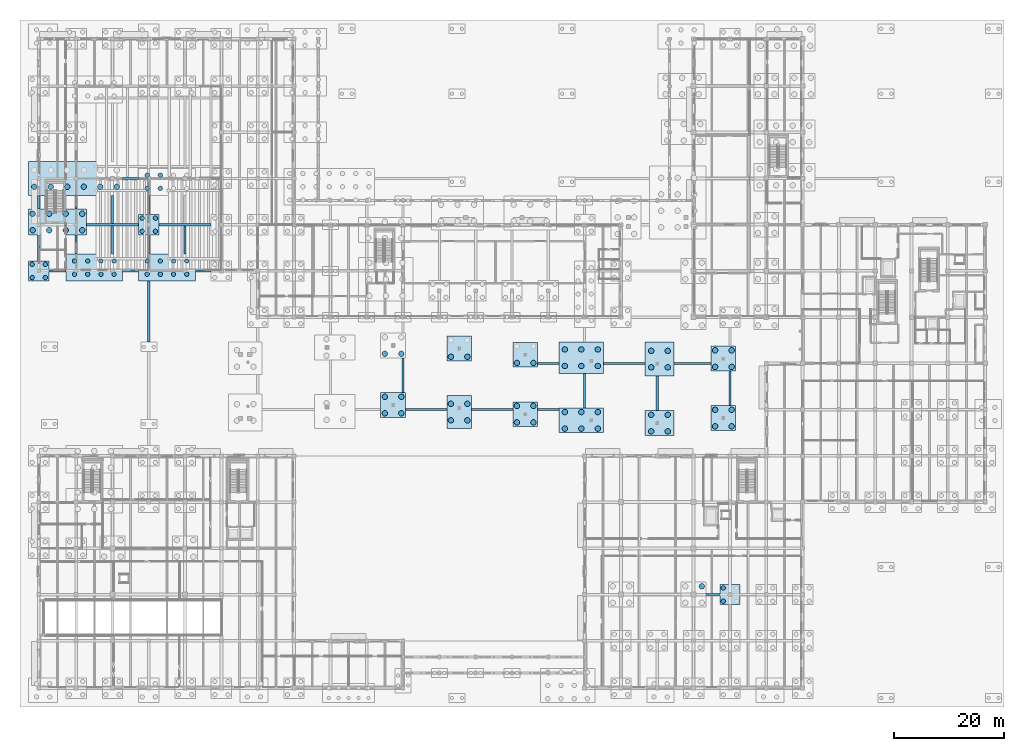
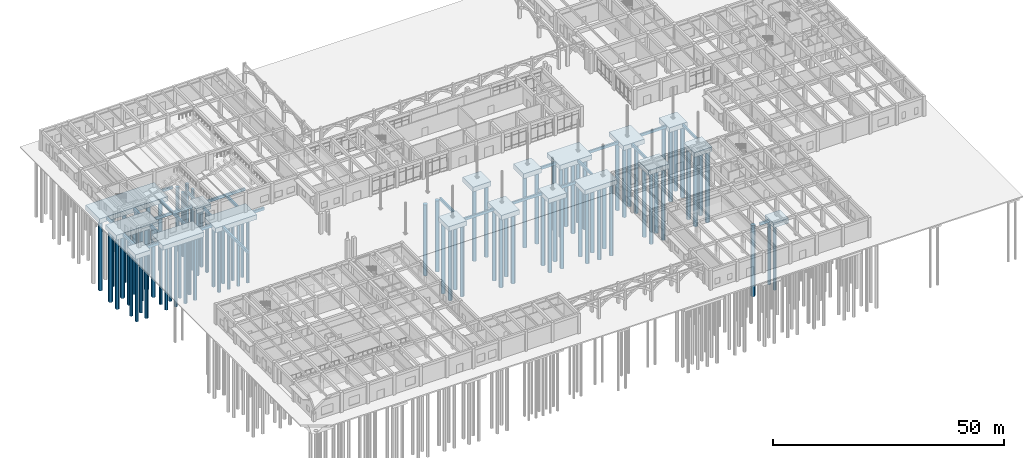
# One storey, part 3 of 82: 91 piles, 45 footings.
"""IFC4 building model written with IfcOpenShell, lengths in metres."""

from ifc_helpers import new_model, si_unit, direction, frame, origin, origin_2d, place, context, subcontext, project, spatial, rectangle, circle, extrude, material, material_profile, profile_set, type_object, element, save


model = new_model("IFC4")

# Units and contexts
model_context = context("Model", 3, precision=1e-05, world=origin(), true_north=direction((0.0, 1.0)))
body_context = subcontext(model_context, "Body", "Model", "MODEL_VIEW")
ifc_project = project(units=[si_unit("LENGTHUNIT", "METRE"), si_unit("AREAUNIT", "SQUARE_METRE"), si_unit("VOLUMEUNIT", "CUBIC_METRE"), si_unit("PLANEANGLEUNIT", "RADIAN"), si_unit("MASSUNIT", "GRAM", prefix="KILO")], contexts=[model_context])

# Site, building, storey
site_placement = place(None, origin())
site = spatial("IfcSite", under=ifc_project, at=site_placement, CompositionType="ELEMENT")
building_placement = place(site_placement, origin())
building = spatial("IfcBuilding", under=site, at=building_placement, Name="Kolvaren Faculty of Natural Sciences", CompositionType="ELEMENT")
storey_placement = place(building_placement, origin())
storey = spatial("IfcBuildingStorey", under=building, at=storey_placement, Name="L00", CompositionType="ELEMENT", Elevation=0.0)

# Piles
ifc_material = material(Name="Concrete C35/45", Category="concrete")
ifc_material_profile_1 = material_profile(ifc_material, circle(Radius=0.5, at=origin_2d()), Name="PILE D1000")
ifc_profile_set_1 = profile_set([ifc_material_profile_1], Name="Concrete C35/45")
pile_type_1 = type_object("IfcPileType", Name="BoredPile_1000", PredefinedType="BORED", material=ifc_profile_set_1)
for number, where, z_axis, x_axis, name in (
    (1, (-1.10009765625, 83.199951171875, -1.469970703125), (0.0, 0.0, -1.0), (1.0, 0.0, 0.0), "Rock-socketed bored pile BP-1000 under CAP-086"),
    (2, (-1.10009765625, 86.199951171875, -1.469970703125), (0.0, 0.0, -1.0), (1.0, 0.0, 0.0), "Rock-socketed bored pile BP-1000 under CAP-086"),
    (3, (1.89990234375, 83.199951171875, -1.469970703125), (0.0, 0.0, -1.0), (1.0, 0.0, 0.0), "Rock-socketed bored pile BP-1000 under CAP-086"),
    (4, (1.89990234375, 86.199951171875, -1.469970703125), (0.0, 0.0, -1.0), (1.0, 0.0, 0.0), "Rock-socketed bored pile BP-1000 under CAP-086"),
    (5, (4.89990234375, 83.199951171875, -1.469970703125), (0.0, 0.0, -1.0), (1.0, 0.0, 0.0), "Rock-socketed bored pile BP-1000 under CAP-086"),
    (6, (4.89990234375, 86.199951171875, -1.469970703125), (0.0, 0.0, -1.0), (1.0, 0.0, 0.0), "Rock-socketed bored pile BP-1000 under CAP-086"),
    (7, (7.89990234375, 83.199951171875, -1.469970703125), (0.0, 0.0, -1.0), (1.0, 0.0, 0.0), "Rock-socketed bored pile BP-1000 under CAP-086"),
    (8, (7.89990234375, 86.199951171875, -1.469970703125), (0.0, 0.0, -1.0), (1.0, 0.0, 0.0), "Rock-socketed bored pile BP-1000 under CAP-086"),
    (9, (-0.800048828125, 91.10009765625, -1.469970703125), (0.0, 0.0, -1.0), (1.0, 0.0, 0.0), "Rock-socketed bored pile BP-1000 under CAP-087"),
    (10, (2.199951171875, 91.10009765625, -1.469970703125), (0.0, 0.0, -1.0), (1.0, 0.0, 0.0), "Rock-socketed bored pile BP-1000 under CAP-087"),
    (11, (5.199951171875, 91.10009765625, -1.469970703125), (0.0, 0.0, -1.0), (1.0, 0.0, 0.0), "Rock-socketed bored pile BP-1000 under CAP-087"),
    (12, (8.199951171875, 91.10009765625, -1.469970703125), (0.0, 0.0, -1.0), (1.0, 0.0, 0.0), "Rock-socketed bored pile BP-1000 under CAP-087"),
    (13, (11.199951171875, 91.10009765625, -1.469970703125), (0.0, 0.0, -1.0), (1.0, 0.0, 0.0), "Rock-socketed bored pile BP-1000 under CAP-087"),
    (14, (14.199951171875, 91.10009765625, -1.469970703125), (0.0, 0.0, -1.0), (1.0, 0.0, 0.0), "Rock-socketed bored pile BP-1000 under CAP-087"),
    (15, (62.89990234375, 49.93994140625, -1.469970703125), (0.0, 0.0, -1.0), (1.0, 0.0, 0.0), "Rock-socketed bored pile BP-1000 under CAP-156"),
    (16, (62.89990234375, 52.93994140625, -1.469970703125), (0.0, 0.0, -1.0), (1.0, 0.0, 0.0), "Rock-socketed bored pile BP-1000 under CAP-156"),
    (17, (65.89990234375, 49.93994140625, -1.469970703125), (0.0, 0.0, -1.0), (1.0, 0.0, 0.0), "Rock-socketed bored pile BP-1000 under CAP-156"),
    (18, (65.89990234375, 52.93994140625, -1.469970703125), (0.0, 0.0, -1.0), (1.0, 0.0, 0.0), "Rock-socketed bored pile BP-1000 under CAP-156"),
    (19, (62.89990234375, 60.739990234375, -1.469970703125), (0.0, 0.0, -1.0), (1.0, 0.0, 0.0), "Rock-socketed bored pile BP-1000 under CAP-157"),
    (20, (65.89990234375, 60.739990234375, -1.469970703125), (0.0, 0.0, -1.0), (1.0, 0.0, 0.0), "Rock-socketed bored pile BP-1000 under CAP-157"),
    (21, (74.89990234375, 48.655029296875, -1.469970703125), (0.0, 0.0, -1.0), (1.0, 0.0, 0.0), "Rock-socketed bored pile BP-1000 under CAP-165"),
    (22, (74.89990234375, 51.655029296875, -1.469970703125), (0.0, 0.0, -1.0), (1.0, 0.0, 0.0), "Rock-socketed bored pile BP-1000 under CAP-165"),
    (23, (77.89990234375, 48.655029296875, -1.469970703125), (0.0, 0.0, -1.0), (1.0, 0.0, 0.0), "Rock-socketed bored pile BP-1000 under CAP-165"),
    (24, (77.89990234375, 51.655029296875, -1.469970703125), (0.0, 0.0, -1.0), (1.0, 0.0, 0.0), "Rock-socketed bored pile BP-1000 under CAP-165"),
    (25, (74.89990234375, 60.2099609375, -1.469970703125), (0.0, 0.0, -1.0), (1.0, 0.0, 0.0), "Rock-socketed bored pile BP-1000 under CAP-166"),
    (26, (77.89990234375, 60.2099609375, -1.469970703125), (0.0, 0.0, -1.0), (1.0, 0.0, 0.0), "Rock-socketed bored pile BP-1000 under CAP-166"),
    (27, (86.89990234375, 48.280029296875, -1.469970703125), (0.0, 0.0, -1.0), (1.0, 0.0, 0.0), "Rock-socketed bored pile BP-1000 under CAP-178"),
    (28, (86.89990234375, 51.280029296875, -1.469970703125), (0.0, 0.0, -1.0), (1.0, 0.0, 0.0), "Rock-socketed bored pile BP-1000 under CAP-178"),
    (29, (89.89990234375, 48.280029296875, -1.469970703125), (0.0, 0.0, -1.0), (1.0, 0.0, 0.0), "Rock-socketed bored pile BP-1000 under CAP-178"),
    (30, (89.89990234375, 51.280029296875, -1.469970703125), (0.0, 0.0, -1.0), (1.0, 0.0, 0.0), "Rock-socketed bored pile BP-1000 under CAP-178"),
    (31, (86.89990234375, 59.080078125, -1.469970703125), (0.0, 0.0, -1.0), (1.0, 0.0, 0.0), "Rock-socketed bored pile BP-1000 under CAP-179"),
    (32, (89.89990234375, 59.080078125, -1.469970703125), (0.0, 0.0, -1.0), (1.0, 0.0, 0.0), "Rock-socketed bored pile BP-1000 under CAP-179"),
    (33, (95.60009765625, 47.159912109375, -1.469970703125), (0.0, 0.0, -1.0), (1.0, 0.0, 0.0), "Rock-socketed bored pile BP-1000 under CAP-183"),
    (34, (95.60009765625, 50.159912109375, -1.469970703125), (0.0, 0.0, -1.0), (1.0, 0.0, 0.0), "Rock-socketed bored pile BP-1000 under CAP-183"),
    (35, (98.60009765625, 47.159912109375, -1.469970703125), (0.0, 0.0, -1.0), (1.0, 0.0, 0.0), "Rock-socketed bored pile BP-1000 under CAP-183"),
    (36, (98.60009765625, 50.159912109375, -1.469970703125), (0.0, 0.0, -1.0), (1.0, 0.0, 0.0), "Rock-socketed bored pile BP-1000 under CAP-183"),
    (37, (101.60009765625, 47.159912109375, -1.469970703125), (0.0, 0.0, -1.0), (1.0, 0.0, 0.0), "Rock-socketed bored pile BP-1000 under CAP-183"),
    (38, (101.60009765625, 50.159912109375, -1.469970703125), (0.0, 0.0, -1.0), (1.0, 0.0, 0.0), "Rock-socketed bored pile BP-1000 under CAP-183"),
    (39, (95.60009765625, 58.530029296875, -1.469970703125), (0.0, 0.0, -1.0), (1.0, 0.0, 0.0), "Rock-socketed bored pile BP-1000 under CAP-184"),
    (40, (95.60009765625, 61.530029296875, -1.469970703125), (0.0, 0.0, -1.0), (1.0, 0.0, 0.0), "Rock-socketed bored pile BP-1000 under CAP-184"),
    (41, (98.60009765625, 58.530029296875, -1.469970703125), (0.0, 0.0, -1.0), (1.0, 0.0, 0.0), "Rock-socketed bored pile BP-1000 under CAP-184"),
    (42, (98.60009765625, 61.530029296875, -1.469970703125), (0.0, 0.0, -1.0), (1.0, 0.0, 0.0), "Rock-socketed bored pile BP-1000 under CAP-184"),
    (43, (101.60009765625, 58.530029296875, -1.469970703125), (0.0, 0.0, -1.0), (1.0, 0.0, 0.0), "Rock-socketed bored pile BP-1000 under CAP-184"),
    (44, (101.60009765625, 61.530029296875, -1.469970703125), (0.0, 0.0, -1.0), (1.0, 0.0, 0.0), "Rock-socketed bored pile BP-1000 under CAP-184"),
    (45, (111.300048828125, 46.64990234375, -1.469970703125), (0.0, 0.0, -1.0), (1.0, 0.0, 0.0), "Rock-socketed bored pile BP-1000 under CAP-197"),
    (46, (111.300048828125, 49.64990234375, -1.469970703125), (0.0, 0.0, -1.0), (1.0, 0.0, 0.0), "Rock-socketed bored pile BP-1000 under CAP-197"),
    (47, (114.300048828125, 46.64990234375, -1.469970703125), (0.0, 0.0, -1.0), (1.0, 0.0, 0.0), "Rock-socketed bored pile BP-1000 under CAP-197"),
    (48, (114.300048828125, 49.64990234375, -1.469970703125), (0.0, 0.0, -1.0), (1.0, 0.0, 0.0), "Rock-socketed bored pile BP-1000 under CAP-197"),
    (49, (111.300048828125, 58.27490234375, -1.469970703125), (0.0, 0.0, -1.0), (1.0, 0.0, 0.0), "Rock-socketed bored pile BP-1000 under CAP-198"),
    (50, (111.300048828125, 61.27490234375, -1.469970703125), (0.0, 0.0, -1.0), (1.0, 0.0, 0.0), "Rock-socketed bored pile BP-1000 under CAP-198"),
    (51, (114.300048828125, 58.27490234375, -1.469970703125), (0.0, 0.0, -1.0), (1.0, 0.0, 0.0), "Rock-socketed bored pile BP-1000 under CAP-198"),
    (52, (114.300048828125, 61.27490234375, -1.469970703125), (0.0, 0.0, -1.0), (1.0, 0.0, 0.0), "Rock-socketed bored pile BP-1000 under CAP-198"),
    (53, (120.5, 18.5, -1.469970703125), (0.0, 0.0, -1.0), (1.0, 0.0, 0.0), "Rock-socketed bored pile BP-1000 under CAP-205"),
    (54, (122.89990234375, 47.570068359375, -1.469970703125), (0.0, 0.0, -1.0), (1.0, 0.0, 0.0), "Rock-socketed bored pile BP-1000 under CAP-210"),
    (55, (122.89990234375, 50.570068359375, -1.469970703125), (0.0, 0.0, -1.0), (1.0, 0.0, 0.0), "Rock-socketed bored pile BP-1000 under CAP-210"),
    (56, (125.89990234375, 47.570068359375, -1.469970703125), (0.0, 0.0, -1.0), (1.0, 0.0, 0.0), "Rock-socketed bored pile BP-1000 under CAP-210"),
    (57, (125.89990234375, 50.570068359375, -1.469970703125), (0.0, 0.0, -1.0), (1.0, 0.0, 0.0), "Rock-socketed bored pile BP-1000 under CAP-210"),
    (58, (122.89990234375, 58.3701171875, -1.469970703125), (0.0, 0.0, -1.0), (1.0, 0.0, 0.0), "Rock-socketed bored pile BP-1000 under CAP-211"),
    (59, (122.89990234375, 61.3701171875, -1.469970703125), (0.0, 0.0, -1.0), (1.0, 0.0, 0.0), "Rock-socketed bored pile BP-1000 under CAP-211"),
    (60, (125.89990234375, 58.3701171875, -1.469970703125), (0.0, 0.0, -1.0), (1.0, 0.0, 0.0), "Rock-socketed bored pile BP-1000 under CAP-211"),
    (61, (125.89990234375, 61.3701171875, -1.469970703125), (0.0, 0.0, -1.0), (1.0, 0.0, 0.0), "Rock-socketed bored pile BP-1000 under CAP-211"),
):
    element("IfcPile", number, at=place(storey_placement, frame(where, z_axis=z_axis, x_axis=x_axis)), inside=storey, type_object=pile_type_1, Name=name, PredefinedType="BORED", context=body_context, shape_type="SweptSolid", body=[
        extrude(circle(Radius=0.5, at=origin_2d()), origin(), (0.0, 0.0, 1.0), 18.830078125),
    ])
ifc_material_profile_2 = material_profile(ifc_material, circle(Radius=0.39990234375, at=origin_2d()), Name="PILE D800")
ifc_profile_set_2 = profile_set([ifc_material_profile_2], Name="Concrete C35/45")
pile_type_2 = type_object("IfcPileType", Name="BoredPile_800", PredefinedType="BORED", material=ifc_profile_set_2)
for number, where, z_axis, x_axis, name in (
    (62, (-1.199951171875, 74.60009765625, -1.469970703125), (0.0, 0.0, -1.0), (1.0, 0.0, 0.0), "Rock-socketed bored pile BP-800 under CAP-085"),
    (63, (-1.199951171875, 77.0, -1.469970703125), (0.0, 0.0, -1.0), (1.0, 0.0, 0.0), "Rock-socketed bored pile BP-800 under CAP-085"),
    (64, (1.199951171875, 74.60009765625, -1.469970703125), (0.0, 0.0, -1.0), (1.0, 0.0, 0.0), "Rock-socketed bored pile BP-800 under CAP-085"),
    (65, (1.199951171875, 77.0, -1.469970703125), (0.0, 0.0, -1.0), (1.0, 0.0, 0.0), "Rock-socketed bored pile BP-800 under CAP-085"),
    (66, (6.5, 75.199951171875, -1.469970703125), (0.0, 0.0, -1.0), (1.0, 0.0, 0.0), "Rock-socketed bored pile BP-800 under CAP-097"),
    (67, (6.5, 77.60009765625, -1.469970703125), (0.0, 0.0, -1.0), (1.0, 0.0, 0.0), "Rock-socketed bored pile BP-800 under CAP-097"),
    (68, (8.89990234375, 75.199951171875, -1.469970703125), (0.0, 0.0, -1.0), (1.0, 0.0, 0.0), "Rock-socketed bored pile BP-800 under CAP-097"),
    (69, (8.89990234375, 77.60009765625, -1.469970703125), (0.0, 0.0, -1.0), (1.0, 0.0, 0.0), "Rock-socketed bored pile BP-800 under CAP-097"),
    (70, (11.300048828125, 75.199951171875, -1.469970703125), (0.0, 0.0, -1.0), (1.0, 0.0, 0.0), "Rock-socketed bored pile BP-800 under CAP-097"),
    (71, (11.300048828125, 77.60009765625, -1.469970703125), (0.0, 0.0, -1.0), (1.0, 0.0, 0.0), "Rock-socketed bored pile BP-800 under CAP-097"),
    (72, (13.699951171875, 75.199951171875, -1.469970703125), (0.0, 0.0, -1.0), (1.0, 0.0, 0.0), "Rock-socketed bored pile BP-800 under CAP-097"),
    (73, (13.699951171875, 77.60009765625, -1.469970703125), (0.0, 0.0, -1.0), (1.0, 0.0, 0.0), "Rock-socketed bored pile BP-800 under CAP-097"),
    (74, (19.699951171875, 75.199951171875, -1.469970703125), (0.0, 0.0, -1.0), (1.0, 0.0, 0.0), "Rock-socketed bored pile BP-800 under CAP-107"),
    (75, (19.699951171875, 77.60009765625, -1.469970703125), (0.0, 0.0, -1.0), (1.0, 0.0, 0.0), "Rock-socketed bored pile BP-800 under CAP-107"),
    (76, (22.10009765625, 75.199951171875, -1.469970703125), (0.0, 0.0, -1.0), (1.0, 0.0, 0.0), "Rock-socketed bored pile BP-800 under CAP-107"),
    (77, (22.10009765625, 77.60009765625, -1.469970703125), (0.0, 0.0, -1.0), (1.0, 0.0, 0.0), "Rock-socketed bored pile BP-800 under CAP-107"),
    (78, (24.5, 75.199951171875, -1.469970703125), (0.0, 0.0, -1.0), (1.0, 0.0, 0.0), "Rock-socketed bored pile BP-800 under CAP-107"),
    (79, (24.5, 77.60009765625, -1.469970703125), (0.0, 0.0, -1.0), (1.0, 0.0, 0.0), "Rock-socketed bored pile BP-800 under CAP-107"),
    (80, (26.89990234375, 75.199951171875, -1.469970703125), (0.0, 0.0, -1.0), (1.0, 0.0, 0.0), "Rock-socketed bored pile BP-800 under CAP-107"),
    (81, (26.89990234375, 77.60009765625, -1.469970703125), (0.0, 0.0, -1.0), (1.0, 0.0, 0.0), "Rock-socketed bored pile BP-800 under CAP-107"),
    (82, (18.800048828125, 83.0, -1.469970703125), (0.0, 0.0, -1.0), (1.0, 0.0, 0.0), "Rock-socketed bored pile BP-800 under CAP-108"),
    (83, (18.800048828125, 85.39990234375, -1.469970703125), (0.0, 0.0, -1.0), (1.0, 0.0, 0.0), "Rock-socketed bored pile BP-800 under CAP-108"),
    (84, (21.199951171875, 83.0, -1.469970703125), (0.0, 0.0, -1.0), (1.0, 0.0, 0.0), "Rock-socketed bored pile BP-800 under CAP-108"),
    (85, (21.199951171875, 85.39990234375, -1.469970703125), (0.0, 0.0, -1.0), (1.0, 0.0, 0.0), "Rock-socketed bored pile BP-800 under CAP-108"),
    (86, (19.699951171875, 90.800048828125, -1.469970703125), (0.0, 0.0, -1.0), (1.0, 0.0, 0.0), "Rock-socketed bored pile BP-800 under CAP-109"),
    (87, (19.699951171875, 93.199951171875, -1.469970703125), (0.0, 0.0, -1.0), (1.0, 0.0, 0.0), "Rock-socketed bored pile BP-800 under CAP-109"),
    (88, (22.10009765625, 90.800048828125, -1.469970703125), (0.0, 0.0, -1.0), (1.0, 0.0, 0.0), "Rock-socketed bored pile BP-800 under CAP-109"),
    (89, (22.10009765625, 93.199951171875, -1.469970703125), (0.0, 0.0, -1.0), (1.0, 0.0, 0.0), "Rock-socketed bored pile BP-800 under CAP-109"),
    (90, (124.39990234375, 15.800048828125, -1.469970703125), (0.0, 0.0, -1.0), (1.0, 0.0, 0.0), "Rock-socketed bored pile BP-800 under CAP-214"),
    (91, (124.39990234375, 18.199951171875, -1.469970703125), (0.0, 0.0, -1.0), (1.0, 0.0, 0.0), "Rock-socketed bored pile BP-800 under CAP-214"),
):
    element("IfcPile", number, at=place(storey_placement, frame(where, z_axis=z_axis, x_axis=x_axis)), inside=storey, type_object=pile_type_2, Name=name, PredefinedType="BORED", context=body_context, shape_type="SweptSolid", body=[
        extrude(circle(Radius=0.39990234375, at=origin_2d()), origin(), (0.0, 0.0, 1.0), 16.929931640625),
    ])

# Footings
ifc_material_profile_3 = material_profile(ifc_material, rectangle(XDim=0.39990234375, YDim=0.699951171875, at=origin_2d()), Name="RC FB 400x700")
ifc_profile_set_3 = profile_set([ifc_material_profile_3], Name="Concrete C35/45")
footing_type_1 = type_object("IfcFootingType", Name="FootingTieBeam_400x700", PredefinedType="FOOTING_BEAM", material=ifc_profile_set_3)
footing_1_placement = place(storey_placement, frame((121.25, 17.0, -0.75), z_axis=(1.0, 0.0, 0.0), x_axis=(0.0, 1.0, 0.0)))
element("IfcFooting", 92, at=footing_1_placement, inside=storey, type_object=footing_type_1, Name="L00 orthogonal foundation tie beam FB-01", PredefinedType="FOOTING_BEAM", context=body_context, shape_type="SweptSolid", body=[
    extrude(rectangle(XDim=0.39990234375, YDim=0.699951171875, at=origin_2d()), origin(), (0.0, 0.0, 1.0), 2.5),
])
for number, where, z_axis, x_axis, name in (
    (93, (66.64990234375, 50.60009765625, -0.75), (1.0, 0.0, 0.0), (0.0, 1.0, 0.0), "L00 orthogonal foundation tie beam FB-01"),
    (94, (78.64990234375, 50.60009765625, -0.75), (1.0, 0.0, 0.0), (0.0, 1.0, 0.0), "L00 orthogonal foundation tie beam FB-01"),
):
    element("IfcFooting", number, at=place(storey_placement, frame(where, z_axis=z_axis, x_axis=x_axis)), inside=storey, type_object=footing_type_1, Name=name, PredefinedType="FOOTING_BEAM", context=body_context, shape_type="SweptSolid", body=[
        extrude(rectangle(XDim=0.39990234375, YDim=0.699951171875, at=origin_2d()), origin(), (0.0, 0.0, 1.0), 7.5),
    ])
for number, where, z_axis, x_axis, name in (
    (95, (90.64990234375, 50.60009765625, -0.75), (1.0, 0.0, 0.0), (0.0, 1.0, 0.0), "L00 orthogonal foundation tie beam FB-01"),
    (96, (90.64990234375, 59.0, -0.75), (1.0, 0.0, 0.0), (0.0, 1.0, 0.0), "L00 orthogonal foundation tie beam FB-01"),
):
    element("IfcFooting", number, at=place(storey_placement, frame(where, z_axis=z_axis, x_axis=x_axis)), inside=storey, type_object=footing_type_1, Name=name, PredefinedType="FOOTING_BEAM", context=body_context, shape_type="SweptSolid", body=[
        extrude(rectangle(XDim=0.39990234375, YDim=0.699951171875, at=origin_2d()), origin(), (0.0, 0.0, 1.0), 3.900146484375),
    ])
footing_2_placement = place(storey_placement, frame((102.64990234375, 59.0, -0.75), z_axis=(1.0, 0.0, 0.0), x_axis=(0.0, 1.0, 0.0)))
element("IfcFooting", 97, at=footing_2_placement, inside=storey, type_object=footing_type_1, Name="L00 orthogonal foundation tie beam FB-01", PredefinedType="FOOTING_BEAM", context=body_context, shape_type="SweptSolid", body=[
    extrude(rectangle(XDim=0.39990234375, YDim=0.699951171875, at=origin_2d()), origin(), (0.0, 0.0, 1.0), 7.5),
])
footing_3_placement = place(storey_placement, frame((115.449951171875, 59.0, -0.75), z_axis=(1.0, 0.0, 0.0), x_axis=(0.0, 1.0, 0.0)))
element("IfcFooting", 98, at=footing_3_placement, inside=storey, type_object=footing_type_1, Name="L00 orthogonal foundation tie beam FB-01", PredefinedType="FOOTING_BEAM", context=body_context, shape_type="SweptSolid", body=[
    extrude(rectangle(XDim=0.39990234375, YDim=0.699951171875, at=origin_2d()), origin(), (0.0, 0.0, 1.0), 6.699951171875),
])
footing_4_placement = place(storey_placement, frame((1.85009765625, 75.800048828125, -0.75), z_axis=(1.0, 0.0, 0.0), x_axis=(0.0, 1.0, 0.0)))
element("IfcFooting", 99, at=footing_4_placement, inside=storey, type_object=footing_type_1, Name="L00 orthogonal foundation tie beam FB-01", PredefinedType="FOOTING_BEAM", context=body_context, shape_type="SweptSolid", body=[
    extrude(rectangle(XDim=0.39990234375, YDim=0.699951171875, at=origin_2d()), origin(), (0.0, 0.0, 1.0), 3.099853515625),
])
footing_5_placement = place(storey_placement, frame((15.25, 75.800048828125, -0.75), z_axis=(1.0, 0.0, 0.0), x_axis=(0.0, 1.0, 0.0)))
element("IfcFooting", 100, at=footing_5_placement, inside=storey, type_object=footing_type_1, Name="L00 orthogonal foundation tie beam FB-01", PredefinedType="FOOTING_BEAM", context=body_context, shape_type="SweptSolid", body=[
    extrude(rectangle(XDim=0.39990234375, YDim=0.699951171875, at=origin_2d()), origin(), (0.0, 0.0, 1.0), 2.89990234375),
])
footing_6_placement = place(storey_placement, frame((28.449951171875, 75.800048828125, -0.75), z_axis=(1.0, 0.0, 0.0), x_axis=(0.0, 1.0, 0.0)))
element("IfcFooting", 101, at=footing_6_placement, inside=storey, type_object=footing_type_1, Name="L00 orthogonal foundation tie beam FB-01", PredefinedType="FOOTING_BEAM", context=body_context, shape_type="SweptSolid", body=[
    extrude(rectangle(XDim=0.39990234375, YDim=0.699951171875, at=origin_2d()), origin(), (0.0, 0.0, 1.0), 2.900146484375),
])
for number, where, z_axis, x_axis, name in (
    (102, (8.64990234375, 84.199951171875, -0.75), (1.0, 0.0, 0.0), (0.0, 1.0, 0.0), "L00 orthogonal foundation tie beam FB-01"),
    (103, (21.85009765625, 84.199951171875, -0.75), (1.0, 0.0, 0.0), (0.0, 1.0, 0.0), "L00 orthogonal foundation tie beam FB-01"),
):
    element("IfcFooting", number, at=place(storey_placement, frame(where, z_axis=z_axis, x_axis=x_axis)), inside=storey, type_object=footing_type_1, Name=name, PredefinedType="FOOTING_BEAM", context=body_context, shape_type="SweptSolid", body=[
        extrude(rectangle(XDim=0.39990234375, YDim=0.699951171875, at=origin_2d()), origin(), (0.0, 0.0, 1.0), 9.5),
    ])
footing_7_placement = place(storey_placement, frame((15.25, 92.60009765625, -0.75), z_axis=(1.0, 0.0, 0.0), x_axis=(0.0, 1.0, 0.0)))
element("IfcFooting", 104, at=footing_7_placement, inside=storey, type_object=footing_type_1, Name="L00 orthogonal foundation tie beam FB-01", PredefinedType="FOOTING_BEAM", context=body_context, shape_type="SweptSolid", body=[
    extrude(rectangle(XDim=0.39990234375, YDim=0.699951171875, at=origin_2d()), origin(), (0.0, 0.0, 1.0), 2.89990234375),
])
footing_8_placement = place(storey_placement, frame((0.0, 77.64990234375, -0.75), z_axis=(0.0, 1.0, 0.0), x_axis=(-1.0, 0.0, 0.0)))
element("IfcFooting", 105, at=footing_8_placement, inside=storey, type_object=footing_type_1, Name="L00 orthogonal foundation tie beam FB-01", PredefinedType="FOOTING_BEAM", context=body_context, shape_type="SweptSolid", body=[
    extrude(rectangle(XDim=0.39990234375, YDim=0.699951171875, at=origin_2d()), origin(), (0.0, 0.0, 1.0), 4.7001953125),
])
footing_9_placement = place(storey_placement, frame((0.0, 87.050048828125, -0.75), z_axis=(0.0, 1.0, 0.0), x_axis=(-1.0, 0.0, 0.0)))
element("IfcFooting", 106, at=footing_9_placement, inside=storey, type_object=footing_type_1, Name="L00 orthogonal foundation tie beam FB-01", PredefinedType="FOOTING_BEAM", context=body_context, shape_type="SweptSolid", body=[
    extrude(rectangle(XDim=0.39990234375, YDim=0.699951171875, at=origin_2d()), origin(), (0.0, 0.0, 1.0), 2.5),
])
footing_10_placement = place(storey_placement, frame((6.800048828125, 78.85009765625, -0.75), z_axis=(0.0, 1.0, 0.0), x_axis=(-1.0, 0.0, 0.0)))
element("IfcFooting", 107, at=footing_10_placement, inside=storey, type_object=footing_type_1, Name="L00 orthogonal foundation tie beam FB-01", PredefinedType="FOOTING_BEAM", context=body_context, shape_type="SweptSolid", body=[
    extrude(rectangle(XDim=0.39990234375, YDim=0.699951171875, at=origin_2d()), origin(), (0.0, 0.0, 1.0), 3.5),
])
footing_11_placement = place(storey_placement, frame((6.800048828125, 87.050048828125, -0.75), z_axis=(0.0, 1.0, 0.0), x_axis=(-1.0, 0.0, 0.0)))
element("IfcFooting", 108, at=footing_11_placement, inside=storey, type_object=footing_type_1, Name="L00 orthogonal foundation tie beam FB-01", PredefinedType="FOOTING_BEAM", context=body_context, shape_type="SweptSolid", body=[
    extrude(rectangle(XDim=0.39990234375, YDim=0.699951171875, at=origin_2d()), origin(), (0.0, 0.0, 1.0), 2.5),
])
footing_12_placement = place(storey_placement, frame((13.39990234375, 78.85009765625, -0.75), z_axis=(0.0, 1.0, 0.0), x_axis=(-1.0, 0.0, 0.0)))
element("IfcFooting", 109, at=footing_12_placement, inside=storey, type_object=footing_type_1, Name="L00 orthogonal foundation tie beam FB-01", PredefinedType="FOOTING_BEAM", context=body_context, shape_type="SweptSolid", body=[
    extrude(rectangle(XDim=0.39990234375, YDim=0.699951171875, at=origin_2d()), origin(), (0.0, 0.0, 1.0), 5.14990234375),
])
footing_13_placement = place(storey_placement, frame((13.39990234375, 84.39990234375, -0.75), z_axis=(0.0, 1.0, 0.0), x_axis=(-1.0, 0.0, 0.0)))
element("IfcFooting", 110, at=footing_13_placement, inside=storey, type_object=footing_type_1, Name="L00 orthogonal foundation tie beam FB-01", PredefinedType="FOOTING_BEAM", context=body_context, shape_type="SweptSolid", body=[
    extrude(rectangle(XDim=0.39990234375, YDim=0.699951171875, at=origin_2d()), origin(), (0.0, 0.0, 1.0), 5.150146484375),
])
footing_14_placement = place(storey_placement, frame((20.0, 62.85009765625, -0.75), z_axis=(0.0, 1.0, 0.0), x_axis=(-1.0, 0.0, 0.0)))
element("IfcFooting", 111, at=footing_14_placement, inside=storey, type_object=footing_type_1, Name="L00 orthogonal foundation tie beam FB-01", PredefinedType="FOOTING_BEAM", context=body_context, shape_type="SweptSolid", body=[
    extrude(rectangle(XDim=0.39990234375, YDim=0.699951171875, at=origin_2d()), origin(), (0.0, 0.0, 1.0), 11.099853515625),
])
for number, where, z_axis, x_axis, name in (
    (112, (20.0, 78.85009765625, -0.75), (0.0, 1.0, 0.0), (-1.0, 0.0, 0.0), "L00 orthogonal foundation tie beam FB-01"),
    (113, (20.0, 86.050048828125, -0.75), (0.0, 1.0, 0.0), (-1.0, 0.0, 0.0), "L00 orthogonal foundation tie beam FB-01"),
):
    element("IfcFooting", number, at=place(storey_placement, frame(where, z_axis=z_axis, x_axis=x_axis)), inside=storey, type_object=footing_type_1, Name=name, PredefinedType="FOOTING_BEAM", context=body_context, shape_type="SweptSolid", body=[
        extrude(rectangle(XDim=0.39990234375, YDim=0.699951171875, at=origin_2d()), origin(), (0.0, 0.0, 1.0), 3.5),
    ])
footing_15_placement = place(storey_placement, frame((26.60009765625, 78.85009765625, -0.75), z_axis=(0.0, 1.0, 0.0), x_axis=(-1.0, 0.0, 0.0)))
element("IfcFooting", 114, at=footing_15_placement, inside=storey, type_object=footing_type_1, Name="L00 orthogonal foundation tie beam FB-01", PredefinedType="FOOTING_BEAM", context=body_context, shape_type="SweptSolid", body=[
    extrude(rectangle(XDim=0.39990234375, YDim=0.699951171875, at=origin_2d()), origin(), (0.0, 0.0, 1.0), 5.14990234375),
])
for number, where, z_axis, x_axis, name in (
    (115, (66.199951171875, 53.68994140625, -0.75), (0.0, 1.0, 0.0), (-1.0, 0.0, 0.0), "L00 orthogonal foundation tie beam FB-01"),
    (116, (99.199951171875, 50.909912109375, -0.75), (0.0, 1.0, 0.0), (-1.0, 0.0, 0.0), "L00 orthogonal foundation tie beam FB-01"),
    (117, (112.39990234375, 50.39990234375, -0.75), (0.0, 1.0, 0.0), (-1.0, 0.0, 0.0), "L00 orthogonal foundation tie beam FB-01"),
    (118, (125.60009765625, 51.320068359375, -0.75), (0.0, 1.0, 0.0), (-1.0, 0.0, 0.0), "L00 orthogonal foundation tie beam FB-01"),
):
    element("IfcFooting", number, at=place(storey_placement, frame(where, z_axis=z_axis, x_axis=x_axis)), inside=storey, type_object=footing_type_1, Name=name, PredefinedType="FOOTING_BEAM", context=body_context, shape_type="SweptSolid", body=[
        extrude(rectangle(XDim=0.39990234375, YDim=0.699951171875, at=origin_2d()), origin(), (0.0, 0.0, 1.0), 6.300048828125),
    ])
footing_type_2 = type_object("IfcFootingType", Name="PileCap_10300x4900x1250", PredefinedType="PILE_CAP", material=ifc_material)
for number, where, z_axis, x_axis, name in (
    (119, (10.10009765625, 76.39990234375, -1.570068359375), (0.0, 0.0, 1.0), (1.0, 0.0, 0.0), "L00 reinforced concrete pile cap PC-22 (CAP-097)"),
    (120, (23.300048828125, 76.39990234375, -1.570068359375), (0.0, 0.0, 1.0), (1.0, 0.0, 0.0), "L00 reinforced concrete pile cap PC-22 (CAP-107)"),
):
    element("IfcFooting", number, at=place(storey_placement, frame(where, z_axis=z_axis, x_axis=x_axis)), inside=storey, type_object=footing_type_2, Name=name, PredefinedType="PILE_CAP", context=body_context, shape_type="SweptSolid", body=[
        extrude(rectangle(XDim=10.300048828125, YDim=4.89990234375, at=origin_2d()), origin(), (0.0, 0.0, 1.0), 1.25),
    ])
footing_type_3 = type_object("IfcFootingType", Name="PileCap_10500x4700x1250", PredefinedType="PILE_CAP", material=ifc_material)
footing_16_placement = place(storey_placement, frame((3.39990234375, 84.699951171875, -1.570068359375), z_axis=(0.0, 0.0, 1.0), x_axis=(1.0, 0.0, 0.0)))
element("IfcFooting", 121, at=footing_16_placement, inside=storey, type_object=footing_type_3, Name="L00 reinforced concrete pile cap PC-17 (CAP-086)", PredefinedType="PILE_CAP", context=body_context, shape_type="SweptSolid", body=[
    extrude(rectangle(XDim=10.5, YDim=4.699951171875, at=origin_2d()), origin(), (0.0, 0.0, 1.0), 1.25),
])
footing_type_4 = type_object("IfcFootingType", Name="PileCap_17100x6100x1250", PredefinedType="PILE_CAP", material=ifc_material)
footing_17_placement = place(storey_placement, frame((6.699951171875, 92.60009765625, -1.570068359375), z_axis=(0.0, 0.0, 1.0), x_axis=(1.0, 0.0, 0.0)))
element("IfcFooting", 122, at=footing_17_placement, inside=storey, type_object=footing_type_4, Name="L00 reinforced concrete pile cap PC-18 (CAP-087)", PredefinedType="PILE_CAP", context=body_context, shape_type="SweptSolid", body=[
    extrude(rectangle(XDim=17.10009765625, YDim=6.10009765625, at=origin_2d()), origin(), (0.0, 0.0, 1.0), 1.25),
])
footing_type_5 = type_object("IfcFootingType", Name="PileCap_3700x3700x1250", PredefinedType="PILE_CAP", material=ifc_material)
for number, where, z_axis, x_axis, name in (
    (123, (0.0, 75.800048828125, -1.570068359375), (0.0, 0.0, 1.0), (1.0, 0.0, 0.0), "L00 reinforced concrete pile cap PC-16 (CAP-085)"),
    (124, (20.0, 84.199951171875, -1.570068359375), (0.0, 0.0, 1.0), (1.0, 0.0, 0.0), "L00 reinforced concrete pile cap PC-16 (CAP-108)"),
    (125, (125.60009765625, 17.0, -1.570068359375), (0.0, 0.0, 1.0), (1.0, 0.0, 0.0), "L00 reinforced concrete pile cap PC-16 (CAP-214)"),
):
    element("IfcFooting", number, at=place(storey_placement, frame(where, z_axis=z_axis, x_axis=x_axis)), inside=storey, type_object=footing_type_5, Name=name, PredefinedType="PILE_CAP", context=body_context, shape_type="SweptSolid", body=[
        extrude(rectangle(XDim=3.699951171875, YDim=3.699951171875, at=origin_2d()), origin(), (0.0, 0.0, 1.0), 1.25),
    ])
footing_type_6 = type_object("IfcFootingType", Name="PileCap_4500x4500x1250", PredefinedType="PILE_CAP", material=ifc_material)
for number, where, z_axis, x_axis, name in (
    (126, (64.39990234375, 51.43994140625, -1.570068359375), (0.0, 0.0, 1.0), (1.0, 0.0, 0.0), "L00 reinforced concrete pile cap PC-23 (CAP-156)"),
    (127, (76.39990234375, 61.7099609375, -1.570068359375), (0.0, 0.0, 1.0), (1.0, 0.0, 0.0), "L00 reinforced concrete pile cap PC-23 (CAP-166)"),
    (128, (88.39990234375, 49.780029296875, -1.570068359375), (0.0, 0.0, 1.0), (1.0, 0.0, 0.0), "L00 reinforced concrete pile cap PC-23 (CAP-178)"),
    (129, (88.39990234375, 60.580078125, -1.570068359375), (0.0, 0.0, 1.0), (1.0, 0.0, 0.0), "L00 reinforced concrete pile cap PC-23 (CAP-179)"),
    (130, (124.39990234375, 49.070068359375, -1.570068359375), (0.0, 0.0, 1.0), (1.0, 0.0, 0.0), "L00 reinforced concrete pile cap PC-23 (CAP-210)"),
    (131, (124.39990234375, 59.8701171875, -1.570068359375), (0.0, 0.0, 1.0), (1.0, 0.0, 0.0), "L00 reinforced concrete pile cap PC-23 (CAP-211)"),
):
    element("IfcFooting", number, at=place(storey_placement, frame(where, z_axis=z_axis, x_axis=x_axis)), inside=storey, type_object=footing_type_6, Name=name, PredefinedType="PILE_CAP", context=body_context, shape_type="SweptSolid", body=[
        extrude(rectangle(XDim=4.5, YDim=4.5, at=origin_2d()), origin(), (0.0, 0.0, 1.0), 1.25),
    ])
footing_type_7 = type_object("IfcFootingType", Name="PileCap_4500x6010x1250", PredefinedType="PILE_CAP", material=ifc_material)
footing_18_placement = place(storey_placement, frame((76.39990234375, 50.155029296875, -1.570068359375), z_axis=(0.0, 0.0, 1.0), x_axis=(1.0, 0.0, 0.0)))
element("IfcFooting", 132, at=footing_18_placement, inside=storey, type_object=footing_type_7, Name="L00 reinforced concrete pile cap PC-37 (CAP-165)", PredefinedType="PILE_CAP", context=body_context, shape_type="SweptSolid", body=[
    extrude(rectangle(XDim=4.5, YDim=6.010009765625, at=origin_2d()), origin(), (0.0, 0.0, 1.0), 1.25),
])
footing_type_8 = type_object("IfcFootingType", Name="PileCap_5300x4500x1250", PredefinedType="PILE_CAP", material=ifc_material)
footing_19_placement = place(storey_placement, frame((112.800048828125, 48.14990234375, -1.570068359375), z_axis=(0.0, 0.0, 1.0), x_axis=(1.0, 0.0, 0.0)))
element("IfcFooting", 133, at=footing_19_placement, inside=storey, type_object=footing_type_8, Name="L00 reinforced concrete pile cap PC-15 (CAP-197)", PredefinedType="PILE_CAP", context=body_context, shape_type="SweptSolid", body=[
    extrude(rectangle(XDim=5.300048828125, YDim=4.5, at=origin_2d()), origin(), (0.0, 0.0, 1.0), 1.25),
])
footing_type_9 = type_object("IfcFootingType", Name="PileCap_5300x6150x1250", PredefinedType="PILE_CAP", material=ifc_material)
footing_20_placement = place(storey_placement, frame((112.800048828125, 59.77490234375, -1.570068359375), z_axis=(0.0, 0.0, 1.0), x_axis=(1.0, 0.0, 0.0)))
element("IfcFooting", 134, at=footing_20_placement, inside=storey, type_object=footing_type_9, Name="L00 reinforced concrete pile cap PC-43 (CAP-198)", PredefinedType="PILE_CAP", context=body_context, shape_type="SweptSolid", body=[
    extrude(rectangle(XDim=5.300048828125, YDim=6.14990234375, at=origin_2d()), origin(), (0.0, 0.0, 1.0), 1.25),
])
footing_type_10 = type_object("IfcFootingType", Name="PileCap_8100x4500x1250", PredefinedType="PILE_CAP", material=ifc_material)
footing_21_placement = place(storey_placement, frame((98.60009765625, 48.659912109375, -1.570068359375), z_axis=(0.0, 0.0, 1.0), x_axis=(1.0, 0.0, 0.0)))
element("IfcFooting", 135, at=footing_21_placement, inside=storey, type_object=footing_type_10, Name="L00 reinforced concrete pile cap PC-39 (CAP-183)", PredefinedType="PILE_CAP", context=body_context, shape_type="SweptSolid", body=[
    extrude(rectangle(XDim=8.10009765625, YDim=4.5, at=origin_2d()), origin(), (0.0, 0.0, 1.0), 1.25),
])
footing_type_11 = type_object("IfcFootingType", Name="PileCap_8100x5640x1250", PredefinedType="PILE_CAP", material=ifc_material)
footing_22_placement = place(storey_placement, frame((98.60009765625, 60.030029296875, -1.570068359375), z_axis=(0.0, 0.0, 1.0), x_axis=(1.0, 0.0, 0.0)))
element("IfcFooting", 136, at=footing_22_placement, inside=storey, type_object=footing_type_11, Name="L00 reinforced concrete pile cap PC-40 (CAP-184)", PredefinedType="PILE_CAP", context=body_context, shape_type="SweptSolid", body=[
    extrude(rectangle(XDim=8.10009765625, YDim=5.639892578125, at=origin_2d()), origin(), (0.0, 0.0, 1.0), 1.25),
])

save(model, "model.ifc")
